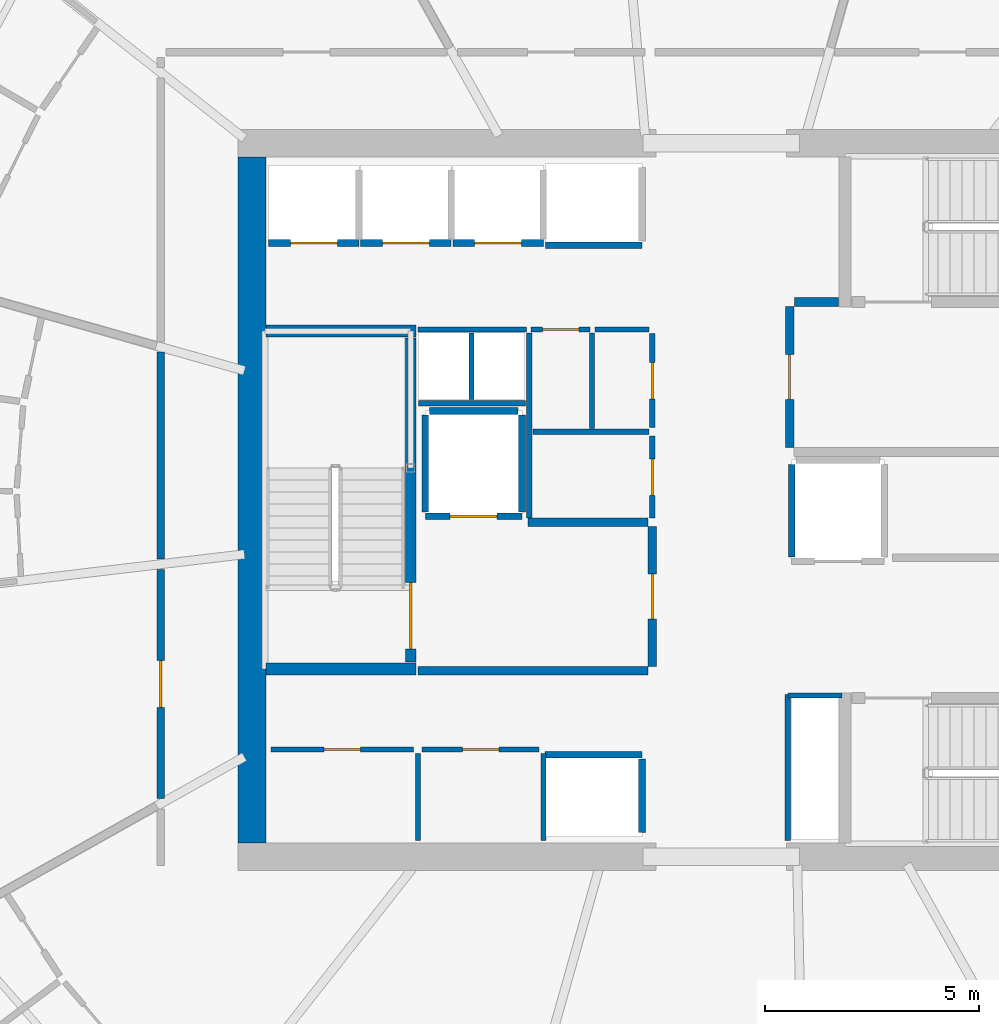
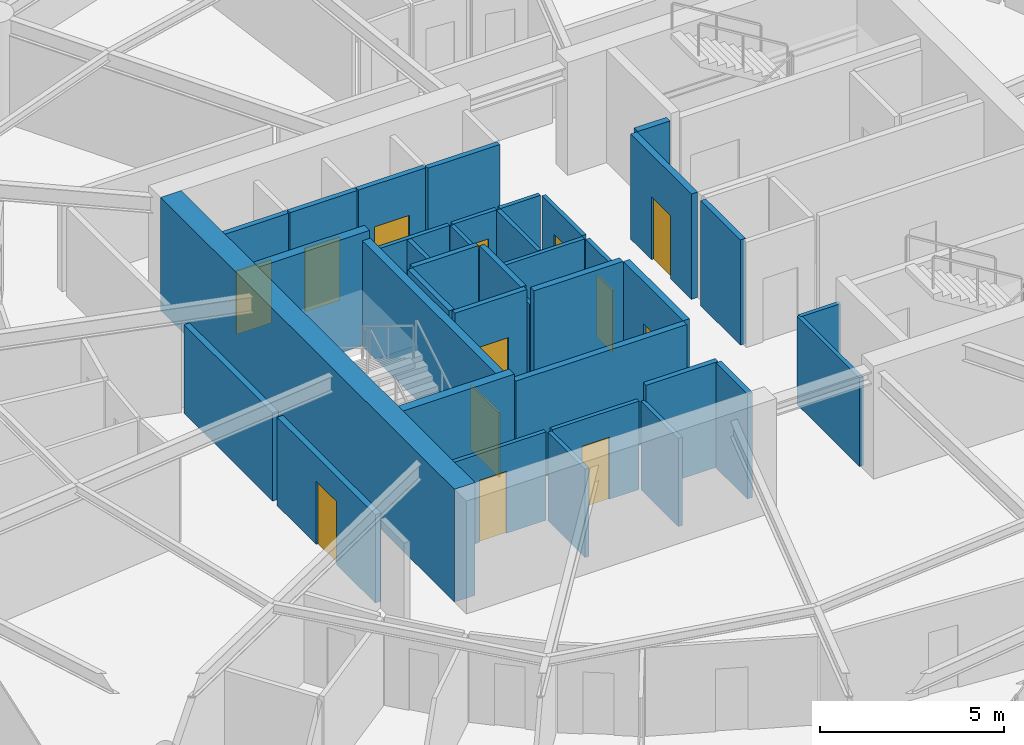
# One storey, part 12 of 20: 38 walls, 13 doors, 13 openings.
"""IFC4 building model written with IfcOpenShell, lengths in metres."""

from ifc_helpers import new_model, si_unit, direction, frame, frame_2d, origin, place, context, subcontext, project, spatial, rectangle, extrude, material, layer, layer_set, type_object, element, fill, save


model = new_model("IFC4")

# Units and contexts
model_context = context("Model", 3, precision=1e-05, world=origin(), true_north=direction((0.0, 1.0)))
body_context = subcontext(model_context, "Body", "Model", "MODEL_VIEW")
ifc_project = project(units=[si_unit("LENGTHUNIT", "METRE"), si_unit("AREAUNIT", "SQUARE_METRE"), si_unit("VOLUMEUNIT", "CUBIC_METRE"), si_unit("PLANEANGLEUNIT", "RADIAN"), si_unit("MASSUNIT", "GRAM", prefix="KILO")], contexts=[model_context])

# Site, building, storey
site_placement = place(None, origin())
site = spatial("IfcSite", under=ifc_project, at=site_placement, CompositionType="ELEMENT")
building_placement = place(site_placement, origin())
building = spatial("IfcBuilding", under=site, at=building_placement, Name="Kazma Halo Residences", CompositionType="ELEMENT")
storey_placement = place(building_placement, frame((0.0, 0.0, 202.800048828125)))
storey = spatial("IfcBuildingStorey", under=building, at=storey_placement, Name="L51", CompositionType="ELEMENT", Elevation=202.800048828125)

# Walls
ifc_material_1 = material(Name="Concrete C60/75", Category="concrete")
ifc_layer_1 = layer(ifc_material_1, 0.64990234375)
ifc_layer_set_1 = layer_set([ifc_layer_1], Name="Concrete C60/75")
wall_type_1 = type_object("IfcWallType", Name="WL-CORE-650", PredefinedType="SHEAR", material=ifc_layer_set_1)
wall_1_placement = place(storey_placement, frame((37.47509765625, 34.0, 0.0), z_axis=(0.0, 0.0, 1.0), x_axis=(0.0, 1.0, 0.0)))
element("IfcWall", 1, at=wall_1_placement, inside=storey, type_object=wall_type_1, Name="L51 central core shear wall W", PredefinedType="SHEAR", context=body_context, shape_type="SweptSolid", body=[
    extrude(rectangle(XDim=16.0, YDim=0.64990234375, at=frame_2d((8.0, 0.0))), origin(), (0.0, 0.0, 1.0), 3.75),
])
ifc_layer_2 = layer(ifc_material_1, 0.280029296875)
ifc_layer_set_2 = layer_set([ifc_layer_2], Name="Concrete C60/75")
wall_type_2 = type_object("IfcWallType", Name="WL-CORE-ST-280", PredefinedType="SHEAR", material=ifc_layer_set_2)
for number, where, z_axis, x_axis, name in (
    (2, (37.800048828125, 38.06005859375, 0.0), (0.0, 0.0, 1.0), (1.0, 0.0, 0.0), "L51 stairwell bearing wall ST01-S"),
    (3, (37.800048828125, 45.93994140625, 0.0), (0.0, 0.0, 1.0), (1.0, 0.0, 0.0), "L51 stairwell bearing wall ST01-N"),
):
    element("IfcWall", number, at=place(storey_placement, frame(where, z_axis=z_axis, x_axis=x_axis)), inside=storey, type_object=wall_type_2, Name=name, PredefinedType="SHEAR", context=body_context, shape_type="SweptSolid", body=[
        extrude(rectangle(XDim=3.5, YDim=0.280029296875, at=frame_2d((1.75, 0.0))), origin(), (0.0, 0.0, 1.0), 3.75),
    ])

# Wall, opening, door
ifc_material_2 = material(Name="Acoustic Twin-Stud Gypsum")
ifc_layer_3 = layer(ifc_material_2, 0.179931640625)
ifc_layer_set_3 = layer_set([ifc_layer_3], Name="Acoustic Twin-Stud Gypsum")
wall_type_3 = type_object("IfcWallType", Name="WL-DEM-180", PredefinedType="PARTITIONING", material=ifc_layer_set_3)
wall_2_placement = place(storey_placement, frame((35.35009765625, 40.3828125, 0.0), z_axis=(0.0, 0.0, 1.0), x_axis=(0.0, -1.0, 0.0)))
wall_2 = element("IfcWall", 4, at=wall_2_placement, inside=storey, type_object=wall_type_3, Name="L51 Apartment 3 entrance corridor wall", PredefinedType="PARTITIONING", context=body_context, shape_type="SweptSolid", body=[
    extrude(rectangle(XDim=5.34716796875, YDim=0.179931640625, at=frame_2d((2.673583984375, 0.0))), origin(), (0.0, 0.0, 1.0), 2.93994140625),
])
opening_1_placement = place(wall_2_placement, frame((2.12353515625, 0.0, 0.0)))
opening_1 = element("IfcOpeningElement", 5, at=opening_1_placement, cuts=wall_2, Name="Opening DA-1100", PredefinedType="OPENING", context=body_context, shape_type="SweptSolid", body=[
    extrude(rectangle(XDim=1.10009765625, YDim=2.10009765625, at=frame_2d((0.550048828125, 1.050048828125))), frame((0.0, 0.099853515625, 0.0), z_axis=(0.0, -1.0, 0.0), x_axis=(1.0, 0.0, 0.0)), (0.0, 0.0, 1.0), 0.199951171875),
])
ifc_material_3 = material(Name="Acoustic Walnut Fire Leaf")
door_type_1 = type_object("IfcDoorType", Name="DR-FD60-1100", OperationType="NOTDEFINED", PredefinedType="DOOR", material=ifc_material_3)
door_1_placement = place(opening_1_placement, origin())
door_1 = element("IfcDoor", 6, at=door_1_placement, inside=storey, type_object=door_type_1, Name="L51 Apartment 3 entrance fire door", OperationType="SINGLE_SWING_LEFT", OverallHeight=2.10009765625, OverallWidth=1.10009765625, PredefinedType="DOOR", context=body_context, shape_type="SweptSolid", body=[
    extrude(rectangle(XDim=1.10009765625, YDim=2.10009765625, at=frame_2d((0.550048828125, 1.050048828125))), frame((0.0, 0.02490234375, 0.0), z_axis=(0.0, -1.0, 0.0), x_axis=(1.0, 0.0, 0.0)), (0.0, 0.0, 1.0), 0.050048828125),
])
fill(opening_1, door_1)

# Wall
wall_3_placement = place(storey_placement, frame((35.35009765625, 45.44775390625, 0.0), z_axis=(0.0, 0.0, 1.0), x_axis=(0.0, -1.0, 0.0)))
element("IfcWall", 7, at=wall_3_placement, inside=storey, type_object=wall_type_3, Name="L51 Apartment 3 inner wall 6", PredefinedType="PARTITIONING", context=body_context, shape_type="SweptSolid", body=[
    extrude(rectangle(XDim=4.824951171875, YDim=0.179931640625, at=frame_2d((2.41259765625, 0.0))), origin(), (0.0, 0.0, 1.0), 2.93994140625),
])

# Wall, opening, door
ifc_material_4 = material(Name="Fire-Rated Blockwork Masonry", Category="masonry")
ifc_layer_4 = layer(ifc_material_4, 0.199951171875)
ifc_layer_set_4 = layer_set([ifc_layer_4], Name="Fire-Rated Blockwork Masonry")
wall_type_4 = type_object("IfcWallType", Name="WL-FLB-200", PredefinedType="PARTITIONING", material=ifc_layer_set_4)
wall_4_placement = place(storey_placement, frame((39.97509765625, 47.9951171875, 0.0), z_axis=(0.0, 0.0, 1.0), x_axis=(-1.0, 0.0, 0.0)))
wall_4 = element("IfcWall", 8, at=wall_4_placement, inside=storey, type_object=wall_type_4, Name="L51 lift shaft PM-01 front wall", PredefinedType="PARTITIONING", context=body_context, shape_type="SweptSolid", body=[
    extrude(rectangle(XDim=2.110107421875, YDim=0.159912109375, at=frame_2d((1.05517578125, 0.0))), origin(), (0.0, 0.0, 1.0), 3.5),
])
opening_2_placement = place(wall_4_placement, frame((0.5048828125, 0.0, 0.0)))
opening_2 = element("IfcOpeningElement", 9, at=opening_2_placement, cuts=wall_4, Name="Opening LD-PM-01", PredefinedType="OPENING", context=body_context, shape_type="SweptSolid", body=[
    extrude(rectangle(XDim=1.10009765625, YDim=2.10009765625, at=frame_2d((0.550048828125, 1.050048828125))), frame((0.0, 0.08984375, 0.0), z_axis=(0.0, -1.0, 0.0), x_axis=(1.0, 0.0, 0.0)), (0.0, 0.0, 1.0), 0.179931640625),
])
ifc_material_5 = material(Name="Stainless Steel Fire-Rated", Category="steel")
door_type_2 = type_object("IfcDoorType", Name="DR-LIFT-SLD-1100", OperationType="DOUBLE_DOOR_SLIDING", PredefinedType="DOOR", material=ifc_material_5)
door_2_placement = place(opening_2_placement, origin())
door_2 = element("IfcDoor", 10, at=door_2_placement, inside=storey, type_object=door_type_2, Name="L51 lift PM-01 sliding landing door", OperationType="DOUBLE_DOOR_SLIDING", OverallHeight=2.10009765625, OverallWidth=1.10009765625, PredefinedType="DOOR", context=body_context, shape_type="SweptSolid", body=[
    extrude(rectangle(XDim=1.10009765625, YDim=2.10009765625, at=frame_2d((0.550048828125, 1.050048828125))), frame((0.0, 0.02490234375, 0.0), z_axis=(0.0, -1.0, 0.0), x_axis=(1.0, 0.0, 0.0)), (0.0, 0.0, 1.0), 0.050048828125),
])
fill(opening_2, door_2)

wall_5_placement = place(storey_placement, frame((42.125, 47.9951171875, 0.0), z_axis=(0.0, 0.0, 1.0), x_axis=(-1.0, 0.0, 0.0)))
wall_5 = element("IfcWall", 11, at=wall_5_placement, inside=storey, type_object=wall_type_4, Name="L51 lift shaft PM-02 front wall", PredefinedType="PARTITIONING", context=body_context, shape_type="SweptSolid", body=[
    extrude(rectangle(XDim=2.110107421875, YDim=0.159912109375, at=frame_2d((1.05517578125, 0.0))), origin(), (0.0, 0.0, 1.0), 3.5),
])
opening_3_placement = place(wall_5_placement, frame((0.5048828125, 0.0, 0.0)))
opening_3 = element("IfcOpeningElement", 12, at=opening_3_placement, cuts=wall_5, Name="Opening LD-PM-02", PredefinedType="OPENING", context=body_context, shape_type="SweptSolid", body=[
    extrude(rectangle(XDim=1.10009765625, YDim=2.10009765625, at=frame_2d((0.550048828125, 1.050048828125))), frame((0.0, 0.08984375, 0.0), z_axis=(0.0, -1.0, 0.0), x_axis=(1.0, 0.0, 0.0)), (0.0, 0.0, 1.0), 0.179931640625),
])
door_3_placement = place(opening_3_placement, origin())
door_3 = element("IfcDoor", 13, at=door_3_placement, inside=storey, type_object=door_type_2, Name="L51 lift PM-02 sliding landing door", OperationType="DOUBLE_DOOR_SLIDING", OverallHeight=2.10009765625, OverallWidth=1.10009765625, PredefinedType="DOOR", context=body_context, shape_type="SweptSolid", body=[
    extrude(rectangle(XDim=1.10009765625, YDim=2.10009765625, at=frame_2d((0.550048828125, 1.050048828125))), frame((0.0, 0.02490234375, 0.0), z_axis=(0.0, -1.0, 0.0), x_axis=(1.0, 0.0, 0.0)), (0.0, 0.0, 1.0), 0.050048828125),
])
fill(opening_3, door_3)

wall_6_placement = place(storey_placement, frame((44.27490234375, 47.9951171875, 0.0), z_axis=(0.0, 0.0, 1.0), x_axis=(-1.0, 0.0, 0.0)))
wall_6 = element("IfcWall", 14, at=wall_6_placement, inside=storey, type_object=wall_type_4, Name="L51 lift shaft PM-03 front wall", PredefinedType="PARTITIONING", context=body_context, shape_type="SweptSolid", body=[
    extrude(rectangle(XDim=2.10986328125, YDim=0.159912109375, at=frame_2d((1.054931640625, 0.0))), origin(), (0.0, 0.0, 1.0), 3.5),
])
opening_4_placement = place(wall_6_placement, frame((0.5048828125, 0.0, 0.0)))
opening_4 = element("IfcOpeningElement", 15, at=opening_4_placement, cuts=wall_6, Name="Opening LD-PM-03", PredefinedType="OPENING", context=body_context, shape_type="SweptSolid", body=[
    extrude(rectangle(XDim=1.10009765625, YDim=2.10009765625, at=frame_2d((0.550048828125, 1.050048828125))), frame((0.0, 0.08984375, 0.0), z_axis=(0.0, -1.0, 0.0), x_axis=(1.0, 0.0, 0.0)), (0.0, 0.0, 1.0), 0.179931640625),
])
door_4_placement = place(opening_4_placement, origin())
door_4 = element("IfcDoor", 16, at=door_4_placement, inside=storey, type_object=door_type_2, Name="L51 lift PM-03 sliding landing door", OperationType="DOUBLE_DOOR_SLIDING", OverallHeight=2.10009765625, OverallWidth=1.10009765625, PredefinedType="DOOR", context=body_context, shape_type="SweptSolid", body=[
    extrude(rectangle(XDim=1.10009765625, YDim=2.10009765625, at=frame_2d((0.550048828125, 1.050048828125))), frame((0.0, 0.02490234375, 0.0), z_axis=(0.0, -1.0, 0.0), x_axis=(1.0, 0.0, 0.0)), (0.0, 0.0, 1.0), 0.050048828125),
])
fill(opening_4, door_4)

# Walls
for number, where, z_axis, x_axis, name in (
    (17, (46.580078125, 47.945068359375, 0.0), (0.0, 0.0, 1.0), (-1.0, 0.0, 0.0), "L51 lift shaft PX-01 front wall"),
    (18, (44.320068359375, 36.054931640625, 0.0), (0.0, 0.0, 1.0), (1.0, 0.0, 0.0), "L51 lift shaft PX-02 front wall"),
):
    element("IfcWall", number, at=place(storey_placement, frame(where, z_axis=z_axis, x_axis=x_axis)), inside=storey, type_object=wall_type_4, Name=name, PredefinedType="PARTITIONING", context=body_context, shape_type="SweptSolid", body=[
        extrude(rectangle(XDim=2.260009765625, YDim=0.159912109375, at=frame_2d((1.1298828125, 0.0))), origin(), (0.0, 0.0, 1.0), 3.5),
    ])
wall_7_placement = place(storey_placement, frame((46.580078125, 34.2451171875, 0.0), z_axis=(0.0, 0.0, 1.0), x_axis=(0.0, 1.0, 0.0)))
element("IfcWall", 19, at=wall_7_placement, inside=storey, type_object=wall_type_4, Name="L51 lift shaft PX-02 side wall E", PredefinedType="PARTITIONING", context=body_context, shape_type="SweptSolid", body=[
    extrude(rectangle(XDim=1.7099609375, YDim=0.159912109375, at=frame_2d((0.85498046875, 0.0))), origin(), (0.0, 0.0, 1.0), 3.5),
])

# Wall, opening, door
wall_8_placement = place(storey_placement, frame((43.780029296875, 41.6201171875, 0.0), z_axis=(0.0, 0.0, 1.0), x_axis=(-1.0, 0.0, 0.0)))
wall_8 = element("IfcWall", 20, at=wall_8_placement, inside=storey, type_object=wall_type_4, Name="L51 lift shaft FL-01 front wall", PredefinedType="PARTITIONING", context=body_context, shape_type="SweptSolid", body=[
    extrude(rectangle(XDim=2.260009765625, YDim=0.159912109375, at=frame_2d((1.1298828125, 0.0))), origin(), (0.0, 0.0, 1.0), 3.5),
])
opening_5_placement = place(wall_8_placement, frame((0.580078125, 0.0, 0.0)))
opening_5 = element("IfcOpeningElement", 21, at=opening_5_placement, cuts=wall_8, Name="Opening LD-FL-01", PredefinedType="OPENING", context=body_context, shape_type="SweptSolid", body=[
    extrude(rectangle(XDim=1.10009765625, YDim=2.10009765625, at=frame_2d((0.550048828125, 1.050048828125))), frame((0.0, 0.08984375, 0.0), z_axis=(0.0, -1.0, 0.0), x_axis=(1.0, 0.0, 0.0)), (0.0, 0.0, 1.0), 0.179931640625),
])
door_5_placement = place(opening_5_placement, origin())
door_5 = element("IfcDoor", 22, at=door_5_placement, inside=storey, type_object=door_type_2, Name="L51 lift FL-01 sliding landing door", OperationType="DOUBLE_DOOR_SLIDING", OverallHeight=2.10009765625, OverallWidth=1.10009765625, PredefinedType="DOOR", context=body_context, shape_type="SweptSolid", body=[
    extrude(rectangle(XDim=1.10009765625, YDim=2.10009765625, at=frame_2d((0.550048828125, 1.050048828125))), frame((0.0, 0.02490234375, 0.0), z_axis=(0.0, -1.0, 0.0), x_axis=(1.0, 0.0, 0.0)), (0.0, 0.0, 1.0), 0.050048828125),
])
fill(opening_5, door_5)

# Walls
for number, where, z_axis, x_axis, name in (
    (23, (43.780029296875, 41.719970703125, 0.0), (0.0, 0.0, 1.0), (0.0, 1.0, 0.0), "L51 lift shaft FL-01 side wall E"),
    (24, (41.52001953125, 41.719970703125, 0.0), (0.0, 0.0, 1.0), (0.0, 1.0, 0.0), "L51 lift shaft FL-01 side wall W"),
):
    element("IfcWall", number, at=place(storey_placement, frame(where, z_axis=z_axis, x_axis=x_axis)), inside=storey, type_object=wall_type_4, Name=name, PredefinedType="PARTITIONING", context=body_context, shape_type="SweptSolid", body=[
        extrude(rectangle(XDim=2.260009765625, YDim=0.159912109375, at=frame_2d((1.1298828125, 0.0))), origin(), (0.0, 0.0, 1.0), 3.5),
    ])
wall_9_placement = place(storey_placement, frame((41.6201171875, 44.080078125, 0.0), z_axis=(0.0, 0.0, 1.0), x_axis=(1.0, 0.0, 0.0)))
element("IfcWall", 25, at=wall_9_placement, inside=storey, type_object=wall_type_4, Name="L51 lift shaft FL-01 side wall N", PredefinedType="PARTITIONING", context=body_context, shape_type="SweptSolid", body=[
    extrude(rectangle(XDim=2.059814453125, YDim=0.159912109375, at=frame_2d((1.02978515625, 0.0))), origin(), (0.0, 0.0, 1.0), 3.5),
])
wall_10_placement = place(storey_placement, frame((50.070068359375, 40.669921875, 0.0), z_axis=(0.0, 0.0, 1.0), x_axis=(0.0, 1.0, 0.0)))
element("IfcWall", 26, at=wall_10_placement, inside=storey, type_object=wall_type_4, Name="L51 lift shaft SV-01 side wall W", PredefinedType="PARTITIONING", context=body_context, shape_type="SweptSolid", body=[
    extrude(rectangle(XDim=2.16015625, YDim=0.159912109375, at=frame_2d((1.080078125, 0.0))), origin(), (0.0, 0.0, 1.0), 3.5),
])
wall_11_placement = place(storey_placement, frame((41.35009765625, 38.02001953125, 0.0), z_axis=(0.0, 0.0, 1.0), x_axis=(1.0, 0.0, 0.0)))
element("IfcWall", 27, at=wall_11_placement, inside=storey, type_object=wall_type_4, Name="L51 west firefighting lobby south smoke wall", PredefinedType="PARTITIONING", context=body_context, shape_type="SweptSolid", body=[
    extrude(rectangle(XDim=5.369873046875, YDim=0.199951171875, at=frame_2d((2.68505859375, 0.0))), origin(), (0.0, 0.0, 1.0), 3.5),
])
wall_12_placement = place(storey_placement, frame((43.919921875, 41.47998046875, 0.0), z_axis=(0.0, 0.0, 1.0), x_axis=(1.0, 0.0, 0.0)))
element("IfcWall", 28, at=wall_12_placement, inside=storey, type_object=wall_type_4, Name="L51 west firefighting lobby north smoke wall", PredefinedType="PARTITIONING", context=body_context, shape_type="SweptSolid", body=[
    extrude(rectangle(XDim=2.800048828125, YDim=0.199951171875, at=frame_2d((1.39990234375, 0.0))), origin(), (0.0, 0.0, 1.0), 3.5),
])

# Wall, opening, door
wall_13_placement = place(storey_placement, frame((46.820068359375, 38.1201171875, 0.0), z_axis=(0.0, 0.0, 1.0), x_axis=(0.0, 1.0, 0.0)))
wall_13 = element("IfcWall", 29, at=wall_13_placement, inside=storey, type_object=wall_type_4, Name="L51 west firefighting lobby smoke wall", PredefinedType="PARTITIONING", context=body_context, shape_type="SweptSolid", body=[
    extrude(rectangle(XDim=3.259765625, YDim=0.199951171875, at=frame_2d((1.6298828125, 0.0))), origin(), (0.0, 0.0, 1.0), 3.5),
])
opening_6_placement = place(wall_13_placement, frame((1.10498046875, 0.0, 0.0)))
opening_6 = element("IfcOpeningElement", 30, at=opening_6_placement, cuts=wall_13, Name="Opening D-FLW", PredefinedType="OPENING", context=body_context, shape_type="SweptSolid", body=[
    extrude(rectangle(XDim=1.050048828125, YDim=2.10009765625, at=frame_2d((0.52490234375, 1.050048828125))), frame((0.0, 0.10986328125, 0.0), z_axis=(0.0, -1.0, 0.0), x_axis=(1.0, 0.0, 0.0)), (0.0, 0.0, 1.0), 0.219970703125),
])
ifc_material_6 = material(Name="Fire-Rated Steel Leaf", Category="steel")
door_type_3 = type_object("IfcDoorType", Name="DR-FD90-1050", OperationType="NOTDEFINED", PredefinedType="DOOR", material=ifc_material_6)
door_6_placement = place(opening_6_placement, origin())
door_6 = element("IfcDoor", 31, at=door_6_placement, inside=storey, type_object=door_type_3, Name="L51 west firefighting lobby smoke door", OperationType="SINGLE_SWING_RIGHT", OverallHeight=2.10009765625, OverallWidth=1.050048828125, PredefinedType="DOOR", context=body_context, shape_type="SweptSolid", body=[
    extrude(rectangle(XDim=1.050048828125, YDim=2.10009765625, at=frame_2d((0.52490234375, 1.050048828125))), frame((0.0, 0.02490234375, 0.0), z_axis=(0.0, -1.0, 0.0), x_axis=(1.0, 0.0, 0.0)), (0.0, 0.0, 1.0), 0.050048828125),
])
fill(opening_6, door_6)

# Wall
wall_14_placement = place(storey_placement, frame((50.139892578125, 46.6201171875, 0.0), z_axis=(0.0, 0.0, 1.0), x_axis=(1.0, 0.0, 0.0)))
element("IfcWall", 32, at=wall_14_placement, inside=storey, type_object=wall_type_4, Name="L51 east firefighting lobby north closure wall", PredefinedType="PARTITIONING", context=body_context, shape_type="SweptSolid", body=[
    extrude(rectangle(XDim=1.02001953125, YDim=0.199951171875, at=frame_2d((0.510009765625, 0.0))), origin(), (0.0, 0.0, 1.0), 3.5),
])

# Wall, opening, door
wall_15_placement = place(storey_placement, frame((50.02001953125, 43.219970703125, 0.0), z_axis=(0.0, 0.0, 1.0), x_axis=(0.0, 1.0, 0.0)))
wall_15 = element("IfcWall", 33, at=wall_15_placement, inside=storey, type_object=wall_type_4, Name="L51 east firefighting lobby smoke wall", PredefinedType="PARTITIONING", context=body_context, shape_type="SweptSolid", body=[
    extrude(rectangle(XDim=3.300048828125, YDim=0.199951171875, at=frame_2d((1.64990234375, 0.0))), origin(), (0.0, 0.0, 1.0), 3.5),
])
opening_7_placement = place(wall_15_placement, frame((1.125, 0.0, 0.0)))
opening_7 = element("IfcOpeningElement", 34, at=opening_7_placement, cuts=wall_15, Name="Opening D-FLE", PredefinedType="OPENING", context=body_context, shape_type="SweptSolid", body=[
    extrude(rectangle(XDim=1.050048828125, YDim=2.10009765625, at=frame_2d((0.52490234375, 1.050048828125))), frame((0.0, 0.10986328125, 0.0), z_axis=(0.0, -1.0, 0.0), x_axis=(1.0, 0.0, 0.0)), (0.0, 0.0, 1.0), 0.219970703125),
])
door_7_placement = place(opening_7_placement, origin())
door_7 = element("IfcDoor", 35, at=door_7_placement, inside=storey, type_object=door_type_3, Name="L51 east firefighting lobby smoke door", OperationType="SINGLE_SWING_LEFT", OverallHeight=2.10009765625, OverallWidth=1.050048828125, PredefinedType="DOOR", context=body_context, shape_type="SweptSolid", body=[
    extrude(rectangle(XDim=1.050048828125, YDim=2.10009765625, at=frame_2d((0.52490234375, 1.050048828125))), frame((0.0, 0.02490234375, 0.0), z_axis=(0.0, -1.0, 0.0), x_axis=(1.0, 0.0, 0.0)), (0.0, 0.0, 1.0), 0.050048828125),
])
fill(opening_7, door_7)

# Walls
ifc_material_7 = material(Name="Gypsum Plasterboard Partition")
ifc_layer_5 = layer(ifc_material_7, 0.125)
ifc_layer_set_5 = layer_set([ifc_layer_5], Name="Gypsum Plasterboard Partition")
wall_type_5 = type_object("IfcWallType", Name="WL-PART-125", PredefinedType="PARTITIONING", material=ifc_layer_set_5)
for number, where, z_axis, x_axis, name in (
    (36, (44.280029296875, 34.050048828125, 0.0), (0.0, 0.0, 1.0), (0.0, 1.0, 0.0), "L51 reclaimed south east wall"),
    (37, (41.35009765625, 34.050048828125, 0.0), (0.0, 0.0, 1.0), (0.0, 1.0, 0.0), "L51 reclaimed south divider wall"),
):
    element("IfcWall", number, at=place(storey_placement, frame(where, z_axis=z_axis, x_axis=x_axis)), inside=storey, type_object=wall_type_5, Name=name, PredefinedType="PARTITIONING", context=body_context, shape_type="SweptSolid", body=[
        extrude(rectangle(XDim=2.030029296875, YDim=0.125, at=frame_2d((1.01513671875, 0.0))), origin(), (0.0, 0.0, 1.0), 2.93994140625),
    ])

# Wall, opening, door
wall_16_placement = place(storey_placement, frame((37.919921875, 36.179931640625, 0.0), z_axis=(0.0, 0.0, 1.0), x_axis=(1.0, 0.0, 0.0)))
wall_16 = element("IfcWall", 38, at=wall_16_placement, inside=storey, type_object=wall_type_5, Name="L51 reclaimed south W front wall", PredefinedType="PARTITIONING", context=body_context, shape_type="SweptSolid", body=[
    extrude(rectangle(XDim=3.330078125, YDim=0.125, at=frame_2d((1.6650390625, 0.0))), origin(), (0.0, 0.0, 1.0), 2.93994140625),
])
opening_8_placement = place(wall_16_placement, frame((1.239990234375, 0.0, 0.0)))
opening_8 = element("IfcOpeningElement", 39, at=opening_8_placement, cuts=wall_16, Name="Opening DS-850", PredefinedType="OPENING", context=body_context, shape_type="SweptSolid", body=[
    extrude(rectangle(XDim=0.85009765625, YDim=2.06005859375, at=frame_2d((0.425048828125, 1.030029296875))), frame((0.0, 0.072509765625, 0.0), z_axis=(0.0, -1.0, 0.0), x_axis=(1.0, 0.0, 0.0)), (0.0, 0.0, 1.0), 0.14501953125),
])
ifc_material_8 = material(Name="Painted Steel Access Leaf", Category="steel")
door_type_4 = type_object("IfcDoorType", Name="DR-SVC-850", OperationType="NOTDEFINED", PredefinedType="DOOR", material=ifc_material_8)
door_8_placement = place(opening_8_placement, origin())
door_8 = element("IfcDoor", 40, at=door_8_placement, inside=storey, type_object=door_type_4, Name="L51 reclaimed south W door", OperationType="SINGLE_SWING_RIGHT", OverallHeight=2.06005859375, OverallWidth=0.85009765625, PredefinedType="DOOR", context=body_context, shape_type="SweptSolid", body=[
    extrude(rectangle(XDim=0.85009765625, YDim=2.06005859375, at=frame_2d((0.425048828125, 1.030029296875))), frame((0.0, 0.02490234375, 0.0), z_axis=(0.0, -1.0, 0.0), x_axis=(1.0, 0.0, 0.0)), (0.0, 0.0, 1.0), 0.050048828125),
])
fill(opening_8, door_8)

wall_17_placement = place(storey_placement, frame((41.449951171875, 36.179931640625, 0.0), z_axis=(0.0, 0.0, 1.0), x_axis=(1.0, 0.0, 0.0)))
wall_17 = element("IfcWall", 41, at=wall_17_placement, inside=storey, type_object=wall_type_5, Name="L51 reclaimed south E front wall", PredefinedType="PARTITIONING", context=body_context, shape_type="SweptSolid", body=[
    extrude(rectangle(XDim=2.72998046875, YDim=0.125, at=frame_2d((1.364990234375, 0.0))), origin(), (0.0, 0.0, 1.0), 2.93994140625),
])
opening_9_placement = place(wall_17_placement, frame((0.93994140625, 0.0, 0.0)))
opening_9 = element("IfcOpeningElement", 42, at=opening_9_placement, cuts=wall_17, Name="Opening DS-850", PredefinedType="OPENING", context=body_context, shape_type="SweptSolid", body=[
    extrude(rectangle(XDim=0.85009765625, YDim=2.06005859375, at=frame_2d((0.425048828125, 1.030029296875))), frame((0.0, 0.072509765625, 0.0), z_axis=(0.0, -1.0, 0.0), x_axis=(1.0, 0.0, 0.0)), (0.0, 0.0, 1.0), 0.14501953125),
])
door_9_placement = place(opening_9_placement, origin())
door_9 = element("IfcDoor", 43, at=door_9_placement, inside=storey, type_object=door_type_4, Name="L51 reclaimed south E door", OperationType="SINGLE_SWING_LEFT", OverallHeight=2.06005859375, OverallWidth=0.85009765625, PredefinedType="DOOR", context=body_context, shape_type="SweptSolid", body=[
    extrude(rectangle(XDim=0.85009765625, YDim=2.06005859375, at=frame_2d((0.425048828125, 1.030029296875))), frame((0.0, 0.02490234375, 0.0), z_axis=(0.0, -1.0, 0.0), x_axis=(1.0, 0.0, 0.0)), (0.0, 0.0, 1.0), 0.050048828125),
])
fill(opening_9, door_9)

# Walls
wall_18_placement = place(storey_placement, frame((41.360107421875, 44.260009765625, 0.0), z_axis=(0.0, 0.0, 1.0), x_axis=(1.0, 0.0, 0.0)))
element("IfcWall", 44, at=wall_18_placement, inside=storey, type_object=wall_type_5, Name="L51 core riser south wall", PredefinedType="PARTITIONING", context=body_context, shape_type="SweptSolid", body=[
    extrude(rectangle(XDim=2.5, YDim=0.125, at=frame_2d((1.25, 0.0))), origin(), (0.0, 0.0, 1.0), 2.93994140625),
])
wall_19_placement = place(storey_placement, frame((42.60009765625, 44.35009765625, 0.0), z_axis=(0.0, 0.0, 1.0), x_axis=(0.0, 1.0, 0.0)))
element("IfcWall", 45, at=wall_19_placement, inside=storey, type_object=wall_type_5, Name="L51 core riser divider wall", PredefinedType="PARTITIONING", context=body_context, shape_type="SweptSolid", body=[
    extrude(rectangle(XDim=1.5498046875, YDim=0.125, at=frame_2d((0.77490234375, 0.0))), origin(), (0.0, 0.0, 1.0), 2.93994140625),
])
wall_20_placement = place(storey_placement, frame((49.97998046875, 34.06005859375, 0.0), z_axis=(0.0, 0.0, 1.0), x_axis=(0.0, 1.0, 0.0)))
element("IfcWall", 46, at=wall_20_placement, inside=storey, type_object=wall_type_5, Name="L51 standpipe riser wall", PredefinedType="PARTITIONING", context=body_context, shape_type="SweptSolid", body=[
    extrude(rectangle(XDim=3.39990234375, YDim=0.125, at=frame_2d((1.699951171875, 0.0))), origin(), (0.0, 0.0, 1.0), 2.93994140625),
])
wall_21_placement = place(storey_placement, frame((49.97998046875, 37.43994140625, 0.0), z_axis=(0.0, 0.0, 1.0), x_axis=(1.0, 0.0, 0.0)))
element("IfcWall", 47, at=wall_21_placement, inside=storey, type_object=wall_type_5, Name="L51 standpipe riser north wall", PredefinedType="PARTITIONING", context=body_context, shape_type="SweptSolid", body=[
    extrude(rectangle(XDim=1.260009765625, YDim=0.125, at=frame_2d((0.6298828125, 0.0))), origin(), (0.0, 0.0, 1.0), 2.93994140625),
])
wall_22_placement = place(storey_placement, frame((43.949951171875, 41.580078125, 0.0), z_axis=(0.0, 0.0, 1.0), x_axis=(0.0, 1.0, 0.0)))
element("IfcWall", 48, at=wall_22_placement, inside=storey, type_object=wall_type_5, Name="L51 core service west wall", PredefinedType="PARTITIONING", context=body_context, shape_type="SweptSolid", body=[
    extrude(rectangle(XDim=4.31982421875, YDim=0.125, at=frame_2d((2.159912109375, 0.0))), origin(), (0.0, 0.0, 1.0), 2.93994140625),
])
wall_23_placement = place(storey_placement, frame((44.030029296875, 43.590087890625, 0.0), z_axis=(0.0, 0.0, 1.0), x_axis=(1.0, 0.0, 0.0)))
element("IfcWall", 49, at=wall_23_placement, inside=storey, type_object=wall_type_5, Name="L51 core service horiz divider", PredefinedType="PARTITIONING", context=body_context, shape_type="SweptSolid", body=[
    extrude(rectangle(XDim=2.7099609375, YDim=0.125, at=frame_2d((1.35498046875, 0.0))), origin(), (0.0, 0.0, 1.0), 2.93994140625),
])
wall_24_placement = place(storey_placement, frame((45.409912109375, 43.669921875, 0.0), z_axis=(0.0, 0.0, 1.0), x_axis=(0.0, 1.0, 0.0)))
element("IfcWall", 50, at=wall_24_placement, inside=storey, type_object=wall_type_5, Name="L51 core service vert divider", PredefinedType="PARTITIONING", context=body_context, shape_type="SweptSolid", body=[
    extrude(rectangle(XDim=2.22998046875, YDim=0.125, at=frame_2d((1.114990234375, 0.0))), origin(), (0.0, 0.0, 1.0), 2.93994140625),
])

# Wall, opening, door
wall_25_placement = place(storey_placement, frame((46.820068359375, 41.580078125, 0.0), z_axis=(0.0, 0.0, 1.0), x_axis=(0.0, 1.0, 0.0)))
wall_25 = element("IfcWall", 51, at=wall_25_placement, inside=storey, type_object=wall_type_5, Name="L51 refuse room east wall", PredefinedType="PARTITIONING", context=body_context, shape_type="SweptSolid", body=[
    extrude(rectangle(XDim=1.909912109375, YDim=0.125, at=frame_2d((0.955078125, 0.0))), origin(), (0.0, 0.0, 1.0), 2.93994140625),
])
opening_10_placement = place(wall_25_placement, frame((0.530029296875, 0.0, 0.0)))
opening_10 = element("IfcOpeningElement", 52, at=opening_10_placement, cuts=wall_25, Name="Opening DS-850", PredefinedType="OPENING", context=body_context, shape_type="SweptSolid", body=[
    extrude(rectangle(XDim=0.85009765625, YDim=2.06005859375, at=frame_2d((0.425048828125, 1.030029296875))), frame((0.0, 0.072509765625, 0.0), z_axis=(0.0, -1.0, 0.0), x_axis=(1.0, 0.0, 0.0)), (0.0, 0.0, 1.0), 0.14501953125),
])
door_10_placement = place(opening_10_placement, origin())
door_10 = element("IfcDoor", 53, at=door_10_placement, inside=storey, type_object=door_type_4, Name="L51 refuse room door", OperationType="SINGLE_SWING_RIGHT", OverallHeight=2.06005859375, OverallWidth=0.85009765625, PredefinedType="DOOR", context=body_context, shape_type="SweptSolid", body=[
    extrude(rectangle(XDim=0.85009765625, YDim=2.06005859375, at=frame_2d((0.425048828125, 1.030029296875))), frame((0.0, 0.02490234375, 0.0), z_axis=(0.0, -1.0, 0.0), x_axis=(1.0, 0.0, 0.0)), (0.0, 0.0, 1.0), 0.050048828125),
])
fill(opening_10, door_10)

wall_26_placement = place(storey_placement, frame((46.820068359375, 43.68994140625, 0.0), z_axis=(0.0, 0.0, 1.0), x_axis=(0.0, 1.0, 0.0)))
wall_26 = element("IfcWall", 54, at=wall_26_placement, inside=storey, type_object=wall_type_5, Name="L51 sub-metering east wall", PredefinedType="PARTITIONING", context=body_context, shape_type="SweptSolid", body=[
    extrude(rectangle(XDim=2.18994140625, YDim=0.125, at=frame_2d((1.094970703125, 0.0))), origin(), (0.0, 0.0, 1.0), 2.93994140625),
])
opening_11_placement = place(wall_26_placement, frame((0.669921875, 0.0, 0.0)))
opening_11 = element("IfcOpeningElement", 55, at=opening_11_placement, cuts=wall_26, Name="Opening DS-850", PredefinedType="OPENING", context=body_context, shape_type="SweptSolid", body=[
    extrude(rectangle(XDim=0.85009765625, YDim=2.06005859375, at=frame_2d((0.425048828125, 1.030029296875))), frame((0.0, 0.072509765625, 0.0), z_axis=(0.0, -1.0, 0.0), x_axis=(1.0, 0.0, 0.0)), (0.0, 0.0, 1.0), 0.14501953125),
])
door_11_placement = place(opening_11_placement, origin())
door_11 = element("IfcDoor", 56, at=door_11_placement, inside=storey, type_object=door_type_4, Name="L51 sub-metering door", OperationType="SINGLE_SWING_LEFT", OverallHeight=2.06005859375, OverallWidth=0.85009765625, PredefinedType="DOOR", context=body_context, shape_type="SweptSolid", body=[
    extrude(rectangle(XDim=0.85009765625, YDim=2.06005859375, at=frame_2d((0.425048828125, 1.030029296875))), frame((0.0, 0.02490234375, 0.0), z_axis=(0.0, -1.0, 0.0), x_axis=(1.0, 0.0, 0.0)), (0.0, 0.0, 1.0), 0.050048828125),
])
fill(opening_11, door_11)

# Wall
wall_27_placement = place(storey_placement, frame((41.35009765625, 45.97998046875, 0.0), z_axis=(0.0, 0.0, 1.0), x_axis=(1.0, 0.0, 0.0)))
element("IfcWall", 57, at=wall_27_placement, inside=storey, type_object=wall_type_5, Name="L51 core riser NW wall", PredefinedType="PARTITIONING", context=body_context, shape_type="SweptSolid", body=[
    extrude(rectangle(XDim=2.52978515625, YDim=0.125, at=frame_2d((1.264892578125, 0.0))), origin(), (0.0, 0.0, 1.0), 2.93994140625),
])

# Wall, opening, door
wall_28_placement = place(storey_placement, frame((43.989990234375, 45.97998046875, 0.0), z_axis=(0.0, 0.0, 1.0), x_axis=(1.0, 0.0, 0.0)))
wall_28 = element("IfcWall", 58, at=wall_28_placement, inside=storey, type_object=wall_type_5, Name="L51 cleaners cupboard north wall", PredefinedType="PARTITIONING", context=body_context, shape_type="SweptSolid", body=[
    extrude(rectangle(XDim=1.380126953125, YDim=0.125, at=frame_2d((0.68994140625, 0.0))), origin(), (0.0, 0.0, 1.0), 2.93994140625),
])
opening_12_placement = place(wall_28_placement, frame((0.264892578125, 0.0, 0.0)))
opening_12 = element("IfcOpeningElement", 59, at=opening_12_placement, cuts=wall_28, Name="Opening DS-850", PredefinedType="OPENING", context=body_context, shape_type="SweptSolid", body=[
    extrude(rectangle(XDim=0.85009765625, YDim=2.06005859375, at=frame_2d((0.425048828125, 1.030029296875))), frame((0.0, 0.072509765625, 0.0), z_axis=(0.0, -1.0, 0.0), x_axis=(1.0, 0.0, 0.0)), (0.0, 0.0, 1.0), 0.14501953125),
])
door_12_placement = place(opening_12_placement, origin())
door_12 = element("IfcDoor", 60, at=door_12_placement, inside=storey, type_object=door_type_4, Name="L51 cleaners cupboard door", OperationType="SINGLE_SWING_RIGHT", OverallHeight=2.06005859375, OverallWidth=0.85009765625, PredefinedType="DOOR", context=body_context, shape_type="SweptSolid", body=[
    extrude(rectangle(XDim=0.85009765625, YDim=2.06005859375, at=frame_2d((0.425048828125, 1.030029296875))), frame((0.0, 0.02490234375, 0.0), z_axis=(0.0, -1.0, 0.0), x_axis=(1.0, 0.0, 0.0)), (0.0, 0.0, 1.0), 0.050048828125),
])
fill(opening_12, door_12)

# Wall
wall_29_placement = place(storey_placement, frame((45.47998046875, 45.97998046875, 0.0), z_axis=(0.0, 0.0, 1.0), x_axis=(1.0, 0.0, 0.0)))
element("IfcWall", 61, at=wall_29_placement, inside=storey, type_object=wall_type_5, Name="L51 sub-metering north wall", PredefinedType="PARTITIONING", context=body_context, shape_type="SweptSolid", body=[
    extrude(rectangle(XDim=1.260009765625, YDim=0.125, at=frame_2d((0.6298828125, 0.0))), origin(), (0.0, 0.0, 1.0), 2.93994140625),
])

# Wall, opening, door
ifc_material_9 = material(Name="Concrete C50/60", Category="concrete")
ifc_layer_6 = layer(ifc_material_9, 0.25)
ifc_layer_set_6 = layer_set([ifc_layer_6], Name="Concrete C50/60")
wall_type_6 = type_object("IfcWallType", Name="WL-SHF-250", PredefinedType="SOLIDWALL", material=ifc_layer_set_6)
wall_30_placement = place(storey_placement, frame((41.179931640625, 38.219970703125, 0.0), z_axis=(0.0, 0.0, 1.0), x_axis=(0.0, 1.0, 0.0)))
wall_30 = element("IfcWall", 62, at=wall_30_placement, inside=storey, type_object=wall_type_6, Name="L51 exit stair ST-01 enclosure wall", PredefinedType="SOLIDWALL", context=body_context, shape_type="SweptSolid", body=[
    extrude(rectangle(XDim=7.56005859375, YDim=0.25, at=frame_2d((3.780029296875, 0.0))), origin(), (0.0, 0.0, 1.0), 3.5),
])
opening_13_placement = place(wall_30_placement, frame((0.300048828125, 0.0, 0.0)))
opening_13 = element("IfcOpeningElement", 63, at=opening_13_placement, cuts=wall_30, Name="Opening D-ST1", PredefinedType="OPENING", context=body_context, shape_type="SweptSolid", body=[
    extrude(rectangle(XDim=1.550048828125, YDim=2.14990234375, at=frame_2d((0.77490234375, 1.074951171875))), frame((0.0, 0.135009765625, 0.0), z_axis=(0.0, -1.0, 0.0), x_axis=(1.0, 0.0, 0.0)), (0.0, 0.0, 1.0), 0.27001953125),
])
ifc_material_10 = material(Name="Fire-Rated Double Steel Leaf", Category="steel")
door_type_5 = type_object("IfcDoorType", Name="DR-FD90-1550", OperationType="NOTDEFINED", PredefinedType="DOOR", material=ifc_material_10)
door_13_placement = place(opening_13_placement, origin())
door_13 = element("IfcDoor", 64, at=door_13_placement, inside=storey, type_object=door_type_5, Name="L51 exit stair ST-01 fire door", OperationType="DOUBLE_DOOR_SINGLE_SWING", OverallHeight=2.14990234375, OverallWidth=1.550048828125, PredefinedType="DOOR", context=body_context, shape_type="SweptSolid", body=[
    extrude(rectangle(XDim=1.550048828125, YDim=2.14990234375, at=frame_2d((0.77490234375, 1.074951171875))), frame((0.0, 0.02490234375, 0.0), z_axis=(0.0, -1.0, 0.0), x_axis=(1.0, 0.0, 0.0)), (0.0, 0.0, 1.0), 0.050048828125),
])
fill(opening_13, door_13)

save(model, "model.ifc")
